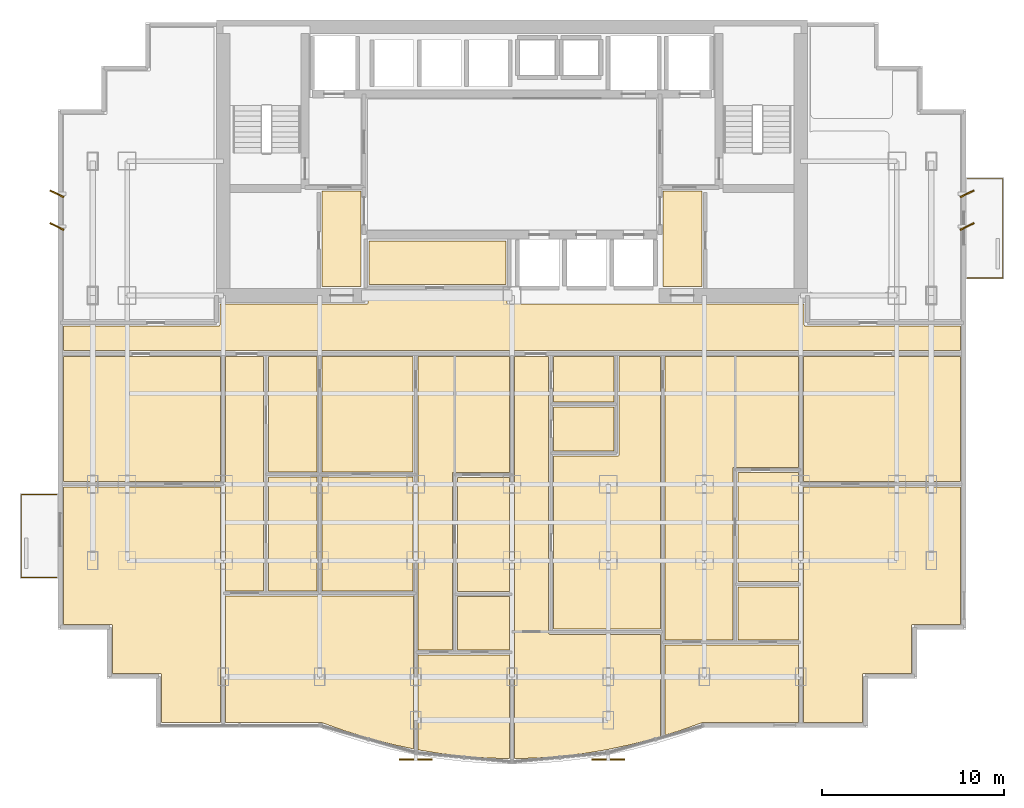
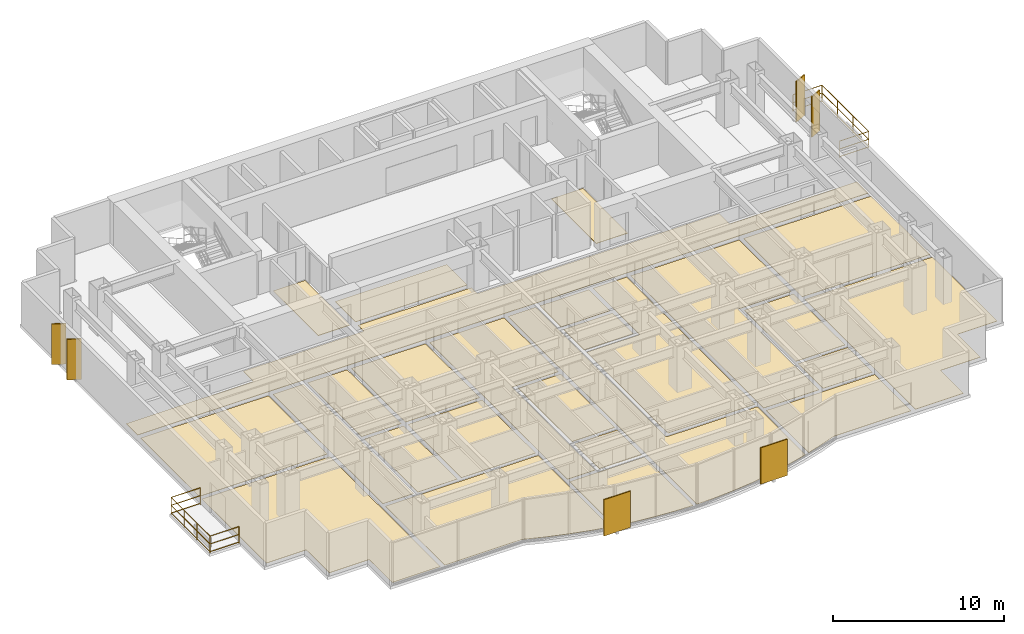
# One storey, part 9 of 10: 26 coverings, 6 shading devices, 2 railings.
"""IFC4 building model written with IfcOpenShell, lengths in metres."""

from ifc_helpers import new_model, si_unit, direction, frame, origin, origin_2d, place, context, subcontext, project, spatial, polyline, rectangle, circle, outline, extrude, source, transform, mapped, material, layer, layer_set, type_object, element, save


model = new_model("IFC4")

# Units and contexts
model_context = context("Model", 3, precision=1e-05, world=origin(), true_north=direction((0.0, 1.0)))
body_context = subcontext(model_context, "Body", "Model", "MODEL_VIEW")
ifc_project = project(units=[si_unit("LENGTHUNIT", "METRE"), si_unit("AREAUNIT", "SQUARE_METRE"), si_unit("VOLUMEUNIT", "CUBIC_METRE"), si_unit("PLANEANGLEUNIT", "RADIAN"), si_unit("MASSUNIT", "GRAM", prefix="KILO")], contexts=[model_context])

# Site, building, storey
site_placement = place(None, origin())
site = spatial("IfcSite", under=ifc_project, at=site_placement, CompositionType="ELEMENT")
building_placement = place(site_placement, origin())
building = spatial("IfcBuilding", under=site, at=building_placement, Name="Qianlan Lanfeng Residences", CompositionType="ELEMENT")
storey_placement = place(building_placement, frame((0.0, 0.0, 94.89990234375)))
storey = spatial("IfcBuildingStorey", under=building, at=storey_placement, Name="L25", CompositionType="ELEMENT", Elevation=94.89990234375)

# Coverings
ifc_material_1 = material(Name="Honed Taitung Granite Stone Flooring", Category="masonry")
ifc_layer_1 = layer(ifc_material_1, 0.030029296875)
ifc_layer_set_1 = layer_set([ifc_layer_1], Name="Honed Taitung Granite Stone Flooring")
covering_type_1 = type_object("IfcCoveringType", Name="FLR-STN-30", PredefinedType="FLOORING", material=ifc_layer_set_1)
covering_1_placement = place(storey_placement, origin())
element("IfcCovering", 1, at=covering_1_placement, inside=storey, type_object=covering_type_1, Name="L25 Residential Corridor Floor Finish", PredefinedType="FLOORING", context=body_context, shape_type="SweptSolid", body=[
    extrude(outline(polyline([(1.7900390625, 22.179931640625), (51.2099609375, 22.179931640625), (51.2099609375, 23.52001953125), (42.6650390625, 23.52001953125), (42.657958984375, 23.52001953125), (42.65087890625, 23.52099609375), (42.64501953125, 23.52294921875), (42.637939453125, 23.52490234375), (42.632080078125, 23.528076171875), (42.6259765625, 23.531982421875), (42.62109375, 23.535888671875), (42.615966796875, 23.541015625), (42.611083984375, 23.5458984375), (42.60693359375, 23.551025390625), (42.60302734375, 23.556884765625), (42.60009765625, 23.56298828125), (42.597900390625, 23.570068359375), (42.595947265625, 23.575927734375), (42.594970703125, 23.5830078125), (42.594970703125, 23.590087890625), (42.594970703125, 24.72509765625), (26.300048828125, 24.72509765625), (26.29296875, 24.72509765625), (26.285888671875, 24.72607421875), (26.280029296875, 24.72802734375), (26.27294921875, 24.72998046875), (26.26708984375, 24.73291015625), (26.260986328125, 24.737060546875), (26.256103515625, 24.740966796875), (26.2509765625, 24.74609375), (26.24609375, 24.7509765625), (26.241943359375, 24.756103515625), (26.238037109375, 24.761962890625), (26.235107421875, 24.76806640625), (26.23291015625, 24.77490234375), (26.23095703125, 24.781005859375), (26.22998046875, 24.7880859375), (26.22998046875, 24.794921875), (26.22998046875, 25.429931640625), (18.570068359375, 25.429931640625), (18.570068359375, 24.794921875), (18.570068359375, 24.7880859375), (18.569091796875, 24.781005859375), (18.56689453125, 24.77490234375), (18.56494140625, 24.76806640625), (18.56201171875, 24.761962890625), (18.55810546875, 24.756103515625), (18.553955078125, 24.7509765625), (18.549072265625, 24.74609375), (18.5439453125, 24.740966796875), (18.5390625, 24.737060546875), (18.532958984375, 24.73291015625), (18.527099609375, 24.72998046875), (18.52001953125, 24.72802734375), (18.513916015625, 24.72607421875), (18.507080078125, 24.72509765625), (18.5, 24.72509765625), (10.405029296875, 24.72509765625), (10.405029296875, 23.590087890625), (10.405029296875, 23.5830078125), (10.404052734375, 23.575927734375), (10.402099609375, 23.570068359375), (10.39990234375, 23.56298828125), (10.39697265625, 23.556884765625), (10.39306640625, 23.551025390625), (10.388916015625, 23.5458984375), (10.384033203125, 23.541015625), (10.37890625, 23.535888671875), (10.3740234375, 23.531982421875), (10.367919921875, 23.528076171875), (10.362060546875, 23.52490234375), (10.35498046875, 23.52294921875), (10.34912109375, 23.52099609375), (10.342041015625, 23.52001953125), (10.3349609375, 23.52001953125), (1.7900390625, 23.52001953125), (1.7900390625, 22.179931640625)])), origin(), (0.0, 0.0, 1.0), 0.030029296875),
])
covering_2_placement = place(storey_placement, origin())
element("IfcCovering", 2, at=covering_2_placement, inside=storey, type_object=covering_type_1, Name="L25 Lift Lobby Floor Finish", PredefinedType="FLOORING", context=body_context, shape_type="SweptSolid", body=[
    extrude(outline(polyline([(16.030029296875, 25.68505859375), (18.169921875, 25.68505859375), (18.169921875, 30.949951171875), (16.030029296875, 30.949951171875), (16.030029296875, 25.68505859375)])), origin(), (0.0, 0.0, 1.0), 0.030029296875),
])
covering_3_placement = place(storey_placement, origin())
element("IfcCovering", 3, at=covering_3_placement, inside=storey, type_object=covering_type_1, Name="L25 Lift Lobby Floor Finish", PredefinedType="FLOORING", context=body_context, shape_type="SweptSolid", body=[
    extrude(outline(polyline([(34.830078125, 25.68505859375), (36.969970703125, 25.68505859375), (36.969970703125, 30.949951171875), (34.830078125, 30.949951171875), (34.830078125, 25.68505859375)])), origin(), (0.0, 0.0, 1.0), 0.030029296875),
])
ifc_material_2 = material(Name="Slip-Resistant Porcelain Tile Flooring")
ifc_layer_2 = layer(ifc_material_2, 0.02001953125)
ifc_layer_set_2 = layer_set([ifc_layer_2], Name="Slip-Resistant Porcelain Tile Flooring")
covering_type_2 = type_object("IfcCoveringType", Name="FLR-TIL-20", PredefinedType="FLOORING", material=ifc_layer_set_2)
covering_4_placement = place(storey_placement, origin())
element("IfcCovering", 4, at=covering_4_placement, inside=storey, type_object=covering_type_2, Name="L25 Kitchen Floor Finish", PredefinedType="FLOORING", context=body_context, shape_type="SweptSolid", body=[
    extrude(outline(polyline([(13.090087890625, 8.929931640625), (15.760009765625, 8.929931640625), (15.760009765625, 15.205078125), (13.090087890625, 15.205078125), (13.090087890625, 8.929931640625)])), origin(), (0.0, 0.0, 1.0), 0.02001953125),
])
covering_5_placement = place(storey_placement, origin())
element("IfcCovering", 5, at=covering_5_placement, inside=storey, type_object=covering_type_2, Name="L25 Bathroom Floor Finish", PredefinedType="FLOORING", context=body_context, shape_type="SweptSolid", body=[
    extrude(outline(polyline([(13.090087890625, 15.485107421875), (15.760009765625, 15.485107421875), (15.760009765625, 21.830078125), (13.090087890625, 21.830078125), (13.090087890625, 15.485107421875)])), origin(), (0.0, 0.0, 1.0), 0.02001953125),
])
covering_6_placement = place(storey_placement, origin())
element("IfcCovering", 6, at=covering_6_placement, inside=storey, type_object=covering_type_2, Name="L25 En-Suite Bathroom Floor Finish", PredefinedType="FLOORING", context=body_context, shape_type="SweptSolid", body=[
    extrude(outline(polyline([(23.489990234375, 5.68701171875), (26.3701171875, 5.68701171875), (26.3701171875, 8.60693359375), (23.489990234375, 8.60693359375), (23.489990234375, 5.68701171875)])), origin(), (0.0, 0.0, 1.0), 0.02001953125),
])
covering_7_placement = place(storey_placement, origin())
element("IfcCovering", 7, at=covering_7_placement, inside=storey, type_object=covering_type_2, Name="L25 Kitchen Floor Finish", PredefinedType="FLOORING", context=body_context, shape_type="SweptSolid", body=[
    extrude(outline(polyline([(28.7900390625, 16.639892578125), (32.110107421875, 16.639892578125), (32.110107421875, 19.06005859375), (28.7900390625, 19.06005859375), (28.7900390625, 16.639892578125)])), origin(), (0.0, 0.0, 1.0), 0.02001953125),
])
covering_8_placement = place(storey_placement, origin())
element("IfcCovering", 8, at=covering_8_placement, inside=storey, type_object=covering_type_2, Name="L25 Bathroom Floor Finish", PredefinedType="FLOORING", context=body_context, shape_type="SweptSolid", body=[
    extrude(outline(polyline([(28.7900390625, 19.340087890625), (32.110107421875, 19.340087890625), (32.110107421875, 21.830078125), (28.7900390625, 21.830078125), (28.7900390625, 19.340087890625)])), origin(), (0.0, 0.0, 1.0), 0.02001953125),
])
covering_9_placement = place(storey_placement, origin())
element("IfcCovering", 9, at=covering_9_placement, inside=storey, type_object=covering_type_2, Name="L25 En-Suite Bathroom Floor Finish", PredefinedType="FLOORING", context=body_context, shape_type="SweptSolid", body=[
    extrude(outline(polyline([(38.93994140625, 6.23388671875), (42.27001953125, 6.23388671875), (42.27001953125, 9.154052734375), (38.93994140625, 9.154052734375), (38.93994140625, 6.23388671875)])), origin(), (0.0, 0.0, 1.0), 0.02001953125),
])
ifc_material_3 = material(Name="Engineered Smoked Oak Timber Flooring", Category="wood")
ifc_layer_3 = layer(ifc_material_3, 0.02197265625)
ifc_layer_set_3 = layer_set([ifc_layer_3], Name="Engineered Smoked Oak Timber Flooring")
covering_type_3 = type_object("IfcCoveringType", Name="FLR-TIM-22", PredefinedType="FLOORING", material=ifc_layer_set_3)
covering_10_placement = place(storey_placement, origin())
element("IfcCovering", 10, at=covering_10_placement, inside=storey, type_object=covering_type_3, Name="L25 Resident Reading Lounge Floor Finish", PredefinedType="FLOORING", context=body_context, shape_type="SweptSolid", body=[
    extrude(outline(polyline([(18.6298828125, 25.800048828125), (26.169921875, 25.800048828125), (26.169921875, 28.205078125), (18.6298828125, 28.205078125), (18.6298828125, 25.800048828125)])), origin(), (0.0, 0.0, 1.0), 0.022216796875),
])
covering_11_placement = place(storey_placement, origin())
element("IfcCovering", 11, at=covering_11_placement, inside=storey, type_object=covering_type_3, Name="L25 Living and Dining Room Floor Finish", PredefinedType="FLOORING", context=body_context, shape_type="SweptSolid", body=[
    extrude(outline(polyline([(10.72998046875, 8.64990234375), (10.72998046875, 1.68994140625), (15.9580078125, 1.68994140625), (15.966064453125, 1.68994140625), (15.97412109375, 1.68798828125), (15.98095703125, 1.68603515625), (17.3330078125, 1.2060546875), (18.64404296875, 0.803955078125), (19.9541015625, 0.462890625), (21.070068359375, 0.22607421875), (21.070068359375, 8.64990234375), (10.72998046875, 8.64990234375)])), origin(), (0.0, 0.0, 1.0), 0.022216796875),
])
covering_12_placement = place(storey_placement, origin())
element("IfcCovering", 12, at=covering_12_placement, inside=storey, type_object=covering_type_3, Name="L25 Family Sitting Room Floor Finish", PredefinedType="FLOORING", context=body_context, shape_type="SweptSolid", body=[
    extrude(outline(polyline([(10.72998046875, 8.929931640625), (12.81005859375, 8.929931640625), (12.81005859375, 21.830078125), (10.72998046875, 21.830078125), (10.72998046875, 8.929931640625)])), origin(), (0.0, 0.0, 1.0), 0.022216796875),
])
covering_13_placement = place(storey_placement, origin())
element("IfcCovering", 13, at=covering_13_placement, inside=storey, type_object=covering_type_3, Name="L25 Aerobics Studio Floor Finish", PredefinedType="FLOORING", context=body_context, shape_type="SweptSolid", body=[
    extrude(outline(polyline([(16.0400390625, 8.929931640625), (21.06005859375, 8.929931640625), (21.06005859375, 15.205078125), (16.0400390625, 15.205078125), (16.0400390625, 8.929931640625)])), origin(), (0.0, 0.0, 1.0), 0.022216796875),
])
covering_14_placement = place(storey_placement, origin())
element("IfcCovering", 14, at=covering_14_placement, inside=storey, type_object=covering_type_3, Name="L25 Club Reading Salon Floor Finish", PredefinedType="FLOORING", context=body_context, shape_type="SweptSolid", body=[
    extrude(outline(polyline([(16.0400390625, 15.485107421875), (21.06005859375, 15.485107421875), (21.06005859375, 21.830078125), (16.0400390625, 21.830078125), (16.0400390625, 15.485107421875)])), origin(), (0.0, 0.0, 1.0), 0.022216796875),
])
covering_15_placement = place(storey_placement, origin())
element("IfcCovering", 15, at=covering_15_placement, inside=storey, type_object=covering_type_3, Name="L25 Private Study Floor Finish", PredefinedType="FLOORING", context=body_context, shape_type="SweptSolid", body=[
    extrude(outline(polyline([(23.489990234375, 8.886962890625), (26.3701171875, 8.886962890625), (26.3701171875, 15.18310546875), (23.489990234375, 15.18310546875), (23.489990234375, 8.886962890625)])), origin(), (0.0, 0.0, 1.0), 0.022216796875),
])
covering_16_placement = place(storey_placement, origin())
element("IfcCovering", 16, at=covering_16_placement, inside=storey, type_object=covering_type_3, Name="L25 Villa Family Sitting Room Floor Finish", PredefinedType="FLOORING", context=body_context, shape_type="SweptSolid", body=[
    extrude(outline(polyline([(21.330078125, 5.68701171875), (23.2099609375, 5.68701171875), (23.2099609375, 15.39306640625), (23.2099609375, 15.39990234375), (23.2109375, 15.406982421875), (23.212890625, 15.4130859375), (23.215087890625, 15.419921875), (23.218017578125, 15.426025390625), (23.221923828125, 15.431884765625), (23.22607421875, 15.43701171875), (23.23095703125, 15.44189453125), (23.236083984375, 15.447021484375), (23.240966796875, 15.450927734375), (23.2470703125, 15.455078125), (23.2529296875, 15.4580078125), (23.260009765625, 15.4599609375), (23.26611328125, 15.4619140625), (23.27294921875, 15.462890625), (23.280029296875, 15.462890625), (26.3701171875, 15.462890625), (26.3701171875, 21.830078125), (21.330078125, 21.830078125), (21.330078125, 5.68701171875)])), origin(), (0.0, 0.0, 1.0), 0.022216796875),
])
covering_17_placement = place(storey_placement, origin())
element("IfcCovering", 17, at=covering_17_placement, inside=storey, type_object=covering_type_3, Name="L25 Master Bedroom Floor Finish", PredefinedType="FLOORING", context=body_context, shape_type="SweptSolid", body=[
    extrude(outline(polyline([(21.330078125, 5.406982421875), (21.330078125, 0.174072265625), (22.572998046875, -0.031982421875), (23.882080078125, -0.18603515625), (25.19091796875, -0.279052734375), (26.3701171875, -0.306884765625), (26.3701171875, 5.406982421875), (21.330078125, 5.406982421875)])), origin(), (0.0, 0.0, 1.0), 0.022216796875),
])
covering_18_placement = place(storey_placement, origin())
element("IfcCovering", 18, at=covering_18_placement, inside=storey, type_object=covering_type_3, Name="L25 Living and Dining Room Floor Finish", PredefinedType="FLOORING", context=body_context, shape_type="SweptSolid", body=[
    extrude(outline(polyline([(34.669921875, 0.89990234375), (34.669921875, 6.541015625), (28.580078125, 6.541015625), (28.572998046875, 6.541015625), (28.56591796875, 6.5419921875), (28.56005859375, 6.5439453125), (28.552978515625, 6.5458984375), (28.547119140625, 6.549072265625), (28.541015625, 6.552978515625), (28.535888671875, 6.556884765625), (28.531005859375, 6.56201171875), (28.52587890625, 6.56689453125), (28.52197265625, 6.572021484375), (28.51806640625, 6.577880859375), (28.514892578125, 6.583984375), (28.512939453125, 6.591064453125), (28.510986328125, 6.596923828125), (28.510009765625, 6.60400390625), (28.510009765625, 6.611083984375), (28.510009765625, 21.830078125), (26.6298828125, 21.830078125), (26.6298828125, -0.306884765625), (27.80810546875, -0.279052734375), (29.117919921875, -0.18603515625), (30.426025390625, -0.031982421875), (31.736083984375, 0.18505859375), (33.044921875, 0.462890625), (34.35595703125, 0.803955078125), (34.669921875, 0.89990234375)])), origin(), (0.0, 0.0, 1.0), 0.022216796875),
])
covering_19_placement = place(storey_placement, origin())
element("IfcCovering", 19, at=covering_19_placement, inside=storey, type_object=covering_type_3, Name="L25 Villa Family Sitting Room Floor Finish", PredefinedType="FLOORING", context=body_context, shape_type="SweptSolid", body=[
    extrude(outline(polyline([(28.7900390625, 6.821044921875), (34.669921875, 6.821044921875), (34.669921875, 21.830078125), (32.389892578125, 21.830078125), (32.389892578125, 16.429931640625), (32.389892578125, 16.423095703125), (32.388916015625, 16.416015625), (32.386962890625, 16.409912109375), (32.385009765625, 16.403076171875), (32.382080078125, 16.39697265625), (32.3779296875, 16.39111328125), (32.3740234375, 16.385986328125), (32.368896484375, 16.381103515625), (32.364013671875, 16.3759765625), (32.35888671875, 16.3720703125), (32.35302734375, 16.367919921875), (32.346923828125, 16.364990234375), (32.340087890625, 16.363037109375), (32.333984375, 16.361083984375), (32.326904296875, 16.360107421875), (32.320068359375, 16.360107421875), (28.7900390625, 16.360107421875), (28.7900390625, 6.821044921875)])), origin(), (0.0, 0.0, 1.0), 0.022216796875),
])
covering_20_placement = place(storey_placement, origin())
element("IfcCovering", 20, at=covering_20_placement, inside=storey, type_object=covering_type_3, Name="L25 Private Study Floor Finish", PredefinedType="FLOORING", context=body_context, shape_type="SweptSolid", body=[
    extrude(outline(polyline([(38.93994140625, 9.43408203125), (42.27001953125, 9.43408203125), (42.27001953125, 15.45703125), (38.93994140625, 15.45703125), (38.93994140625, 9.43408203125)])), origin(), (0.0, 0.0, 1.0), 0.022216796875),
])
covering_21_placement = place(storey_placement, origin())
element("IfcCovering", 21, at=covering_21_placement, inside=storey, type_object=covering_type_3, Name="L25 Villa Family Sitting Room Floor Finish", PredefinedType="FLOORING", context=body_context, shape_type="SweptSolid", body=[
    extrude(outline(polyline([(34.929931640625, 6.23388671875), (38.659912109375, 6.23388671875), (38.659912109375, 15.6669921875), (38.659912109375, 15.674072265625), (38.660888671875, 15.680908203125), (38.6630859375, 15.68701171875), (38.6650390625, 15.694091796875), (38.66796875, 15.699951171875), (38.672119140625, 15.7060546875), (38.676025390625, 15.7109375), (38.680908203125, 15.716064453125), (38.68603515625, 15.720947265625), (38.69091796875, 15.72509765625), (38.697021484375, 15.72900390625), (38.702880859375, 15.73193359375), (38.7099609375, 15.73388671875), (38.716064453125, 15.736083984375), (38.722900390625, 15.737060546875), (38.72998046875, 15.737060546875), (42.27001953125, 15.737060546875), (42.27001953125, 21.830078125), (34.929931640625, 21.830078125), (34.929931640625, 6.23388671875)])), origin(), (0.0, 0.0, 1.0), 0.022216796875),
])
covering_22_placement = place(storey_placement, origin())
element("IfcCovering", 22, at=covering_22_placement, inside=storey, type_object=covering_type_3, Name="L25 Master Bedroom Floor Finish", PredefinedType="FLOORING", context=body_context, shape_type="SweptSolid", body=[
    extrude(outline(polyline([(34.929931640625, 5.9541015625), (34.929931640625, 0.97998046875), (35.6669921875, 1.2060546875), (37.01904296875, 1.68603515625), (37.02587890625, 1.68798828125), (37.033935546875, 1.68994140625), (37.0419921875, 1.68994140625), (42.27001953125, 1.68994140625), (42.27001953125, 5.9541015625), (34.929931640625, 5.9541015625)])), origin(), (0.0, 0.0, 1.0), 0.022216796875),
])
covering_23_placement = place(storey_placement, origin())
element("IfcCovering", 23, at=covering_23_placement, inside=storey, type_object=covering_type_3, Name="L25 Sunroom Floor Finish", PredefinedType="FLOORING", context=body_context, shape_type="SweptSolid", body=[
    extrude(outline(polyline([(10.43994140625, 14.64990234375), (1.7900390625, 14.64990234375), (1.7900390625, 7.090087890625), (4.419921875, 7.090087890625), (4.427001953125, 7.090087890625), (4.43408203125, 7.089111328125), (4.43994140625, 7.0869140625), (4.447021484375, 7.0849609375), (4.452880859375, 7.08203125), (4.458984375, 7.077880859375), (4.464111328125, 7.073974609375), (4.468994140625, 7.069091796875), (4.47412109375, 7.06396484375), (4.47802734375, 7.05908203125), (4.48193359375, 7.052978515625), (4.485107421875, 7.047119140625), (4.487060546875, 7.0400390625), (4.489013671875, 7.033935546875), (4.489990234375, 7.027099609375), (4.489990234375, 7.02001953125), (4.489990234375, 4.389892578125), (7.1201171875, 4.389892578125), (7.126953125, 4.389892578125), (7.134033203125, 4.388916015625), (7.139892578125, 4.386962890625), (7.14697265625, 4.385009765625), (7.153076171875, 4.382080078125), (7.158935546875, 4.3779296875), (7.1640625, 4.3740234375), (7.1689453125, 4.368896484375), (7.174072265625, 4.364013671875), (7.177978515625, 4.35888671875), (7.181884765625, 4.35302734375), (7.18505859375, 4.346923828125), (7.18701171875, 4.340087890625), (7.18896484375, 4.333984375), (7.18994140625, 4.326904296875), (7.18994140625, 4.320068359375), (7.18994140625, 1.68994140625), (10.43994140625, 1.68994140625), (10.43994140625, 14.64990234375)])), origin(), (0.0, 0.0, 1.0), 0.022216796875),
])
covering_24_placement = place(storey_placement, origin())
element("IfcCovering", 24, at=covering_24_placement, inside=storey, type_object=covering_type_3, Name="L25 Family Sitting Room Floor Finish", PredefinedType="FLOORING", context=body_context, shape_type="SweptSolid", body=[
    extrude(outline(polyline([(10.43994140625, 21.830078125), (1.7900390625, 21.830078125), (1.7900390625, 14.949951171875), (10.43994140625, 14.949951171875), (10.43994140625, 21.830078125)])), origin(), (0.0, 0.0, 1.0), 0.022216796875),
])
covering_25_placement = place(storey_placement, origin())
element("IfcCovering", 25, at=covering_25_placement, inside=storey, type_object=covering_type_3, Name="L25 Sunroom Floor Finish", PredefinedType="FLOORING", context=body_context, shape_type="SweptSolid", body=[
    extrude(outline(polyline([(51.2099609375, 14.64990234375), (42.56005859375, 14.64990234375), (42.56005859375, 1.68994140625), (45.81005859375, 1.68994140625), (45.81005859375, 4.320068359375), (45.81005859375, 4.326904296875), (45.81103515625, 4.333984375), (45.81298828125, 4.340087890625), (45.81494140625, 4.346923828125), (45.818115234375, 4.35302734375), (45.822021484375, 4.35888671875), (45.825927734375, 4.364013671875), (45.8310546875, 4.368896484375), (45.8359375, 4.3740234375), (45.841064453125, 4.3779296875), (45.846923828125, 4.382080078125), (45.85302734375, 4.385009765625), (45.860107421875, 4.386962890625), (45.865966796875, 4.388916015625), (45.873046875, 4.389892578125), (45.8798828125, 4.389892578125), (48.510009765625, 4.389892578125), (48.510009765625, 7.02001953125), (48.510009765625, 7.027099609375), (48.510986328125, 7.033935546875), (48.512939453125, 7.0400390625), (48.514892578125, 7.047119140625), (48.51806640625, 7.052978515625), (48.52197265625, 7.05908203125), (48.52587890625, 7.06396484375), (48.531005859375, 7.069091796875), (48.535888671875, 7.073974609375), (48.541015625, 7.077880859375), (48.547119140625, 7.08203125), (48.552978515625, 7.0849609375), (48.56005859375, 7.0869140625), (48.56591796875, 7.089111328125), (48.572998046875, 7.090087890625), (48.580078125, 7.090087890625), (51.2099609375, 7.090087890625), (51.2099609375, 14.64990234375)])), origin(), (0.0, 0.0, 1.0), 0.022216796875),
])
covering_26_placement = place(storey_placement, origin())
element("IfcCovering", 26, at=covering_26_placement, inside=storey, type_object=covering_type_3, Name="L25 Private Study Floor Finish", PredefinedType="FLOORING", context=body_context, shape_type="SweptSolid", body=[
    extrude(outline(polyline([(51.2099609375, 21.830078125), (42.56005859375, 21.830078125), (42.56005859375, 14.949951171875), (51.2099609375, 14.949951171875), (51.2099609375, 21.830078125)])), origin(), (0.0, 0.0, 1.0), 0.022216796875),
])

# Railings
ifc_material_4 = material(Name="Anodised Bronze Aluminium and Laminated Glass Guard Balustrade", Category="aluminium")
railing_type = type_object("IfcRailingType", Name="GR-EXT-1220", PredefinedType="BALUSTRADE", material=ifc_material_4)
railing_1_placement = place(storey_placement, frame((1.429931640625, 9.669921875, 0.0)))
element("IfcRailing", 27, at=railing_1_placement, inside=storey, type_object=railing_type, Name="L25 Terrace Safety Guard GR-L25-WB-S", PredefinedType="BALUSTRADE", context=body_context, shape_type="SweptSolid", body=[
    extrude(circle(Radius=0.02490234375, at=origin_2d()), frame((0.0, 0.0, 0.0849609375), z_axis=(-1.0, 0.0, 0.0), x_axis=(0.0, -1.0, 0.0)), (0.0, 0.0, 1.0), 1.9599609375),
    extrude(circle(Radius=0.02490234375, at=origin_2d()), frame((0.0, 0.0, 0.63427734375), z_axis=(-1.0, 0.0, 0.0), x_axis=(0.0, -1.0, 0.0)), (0.0, 0.0, 1.0), 1.9599609375),
    extrude(circle(Radius=0.02490234375, at=origin_2d()), frame((0.0, 0.0, 1.19482421875), z_axis=(-1.0, 0.0, 0.0), x_axis=(0.0, -1.0, 0.0)), (0.0, 0.0, 1.0), 1.9599609375),
    extrude(circle(Radius=0.02490234375, at=origin_2d()), frame((-1.9599609375, 0.0, 0.0849609375), z_axis=(0.0, 1.0, 0.0), x_axis=(-1.0, 0.0, 0.0)), (0.0, 0.0, 1.0), 4.56005859375),
    extrude(circle(Radius=0.02490234375, at=origin_2d()), frame((-1.9599609375, 0.0, 0.63427734375), z_axis=(0.0, 1.0, 0.0), x_axis=(-1.0, 0.0, 0.0)), (0.0, 0.0, 1.0), 4.56005859375),
    extrude(circle(Radius=0.02490234375, at=origin_2d()), frame((-1.9599609375, 0.0, 1.19482421875), z_axis=(0.0, 1.0, 0.0), x_axis=(-1.0, 0.0, 0.0)), (0.0, 0.0, 1.0), 4.56005859375),
    extrude(circle(Radius=0.02490234375, at=origin_2d()), frame((-1.9599609375, 4.56005859375, 0.0849609375), z_axis=(1.0, 0.0, 0.0), x_axis=(0.0, 1.0, 0.0)), (0.0, 0.0, 1.0), 1.9599609375),
    extrude(circle(Radius=0.02490234375, at=origin_2d()), frame((-1.9599609375, 4.56005859375, 0.63427734375), z_axis=(1.0, 0.0, 0.0), x_axis=(0.0, 1.0, 0.0)), (0.0, 0.0, 1.0), 1.9599609375),
    extrude(circle(Radius=0.02490234375, at=origin_2d()), frame((-1.9599609375, 4.56005859375, 1.19482421875), z_axis=(1.0, 0.0, 0.0), x_axis=(0.0, 1.0, 0.0)), (0.0, 0.0, 1.0), 1.9599609375),
    extrude(circle(Radius=0.02099609375, at=origin_2d()), origin(), (0.0, 0.0, 1.0), 1.169921875),
    extrude(circle(Radius=0.02099609375, at=origin_2d()), frame((-1.9599609375, 0.0, 0.0)), (0.0, 0.0, 1.0), 1.169921875),
    extrude(circle(Radius=0.02099609375, at=origin_2d()), frame((-1.9599609375, 1.52001953125, 0.0)), (0.0, 0.0, 1.0), 1.169921875),
    extrude(circle(Radius=0.02099609375, at=origin_2d()), frame((-1.9599609375, 3.0400390625, 0.0)), (0.0, 0.0, 1.0), 1.169921875),
    extrude(circle(Radius=0.02099609375, at=origin_2d()), frame((-1.9599609375, 4.56005859375, 0.0)), (0.0, 0.0, 1.0), 1.169921875),
    extrude(circle(Radius=0.02099609375, at=origin_2d()), frame((0.0, 4.56005859375, 0.0)), (0.0, 0.0, 1.0), 1.169921875),
])
railing_2_placement = place(storey_placement, frame((51.570068359375, 31.6298828125, 0.0)))
element("IfcRailing", 28, at=railing_2_placement, inside=storey, type_object=railing_type, Name="L25 Terrace Safety Guard GR-L25-EB-N", PredefinedType="BALUSTRADE", context=body_context, shape_type="SweptSolid", body=[
    extrude(circle(Radius=0.02490234375, at=origin_2d()), frame((0.0, 0.0, 0.0849609375), z_axis=(1.0, 0.0, 0.0), x_axis=(0.0, 1.0, 0.0)), (0.0, 0.0, 1.0), 1.9599609375),
    extrude(circle(Radius=0.02490234375, at=origin_2d()), frame((0.0, 0.0, 0.63427734375), z_axis=(1.0, 0.0, 0.0), x_axis=(0.0, 1.0, 0.0)), (0.0, 0.0, 1.0), 1.9599609375),
    extrude(circle(Radius=0.02490234375, at=origin_2d()), frame((0.0, 0.0, 1.19482421875), z_axis=(1.0, 0.0, 0.0), x_axis=(0.0, 1.0, 0.0)), (0.0, 0.0, 1.0), 1.9599609375),
    extrude(circle(Radius=0.02490234375, at=origin_2d()), frame((1.9599609375, 0.0, 0.0849609375), z_axis=(0.0, -1.0, 0.0), x_axis=(1.0, 0.0, 0.0)), (0.0, 0.0, 1.0), 5.4599609375),
    extrude(circle(Radius=0.02490234375, at=origin_2d()), frame((1.9599609375, 0.0, 0.63427734375), z_axis=(0.0, -1.0, 0.0), x_axis=(1.0, 0.0, 0.0)), (0.0, 0.0, 1.0), 5.4599609375),
    extrude(circle(Radius=0.02490234375, at=origin_2d()), frame((1.9599609375, 0.0, 1.19482421875), z_axis=(0.0, -1.0, 0.0), x_axis=(1.0, 0.0, 0.0)), (0.0, 0.0, 1.0), 5.4599609375),
    extrude(circle(Radius=0.02490234375, at=origin_2d()), frame((1.9599609375, -5.4599609375, 0.0849609375), z_axis=(-1.0, 0.0, 0.0), x_axis=(0.0, -1.0, 0.0)), (0.0, 0.0, 1.0), 1.9599609375),
    extrude(circle(Radius=0.02490234375, at=origin_2d()), frame((1.9599609375, -5.4599609375, 0.63427734375), z_axis=(-1.0, 0.0, 0.0), x_axis=(0.0, -1.0, 0.0)), (0.0, 0.0, 1.0), 1.9599609375),
    extrude(circle(Radius=0.02490234375, at=origin_2d()), frame((1.9599609375, -5.4599609375, 1.19482421875), z_axis=(-1.0, 0.0, 0.0), x_axis=(0.0, -1.0, 0.0)), (0.0, 0.0, 1.0), 1.9599609375),
    extrude(circle(Radius=0.02099609375, at=origin_2d()), origin(), (0.0, 0.0, 1.0), 1.169921875),
    extrude(circle(Radius=0.02099609375, at=origin_2d()), frame((1.9599609375, 0.0, 0.0)), (0.0, 0.0, 1.0), 1.169921875),
    extrude(circle(Radius=0.02099609375, at=origin_2d()), frame((1.9599609375, -1.820068359375, 0.0)), (0.0, 0.0, 1.0), 1.169921875),
    extrude(circle(Radius=0.02099609375, at=origin_2d()), frame((1.9599609375, -3.639892578125, 0.0)), (0.0, 0.0, 1.0), 1.169921875),
    extrude(circle(Radius=0.02099609375, at=origin_2d()), frame((1.9599609375, -5.4599609375, 0.0)), (0.0, 0.0, 1.0), 1.169921875),
    extrude(circle(Radius=0.02099609375, at=origin_2d()), frame((0.0, -5.4599609375, 0.0)), (0.0, 0.0, 1.0), 1.169921875),
])

# Shading devices
ifc_material_5 = material(Name="Perforated Bronze Aluminium Solar Screen", Category="aluminium")
shading_device_type_1 = type_object("IfcShadingDeviceType", Name="SCR-BRZ-1800", PredefinedType="JALOUSIE", material=ifc_material_5)
shared_shape_1 = source(origin(), body_context, "Body", "SweptSolid", [
    extrude(rectangle(XDim=1.800048828125, YDim=0.06005859375, at=origin_2d()), origin(), (0.0, 0.0, 1.0), 2.60009765625),
])
for number, where, z_axis, x_axis, name in (
    (29, (21.199951171875, -0.360107421875, 0.0), (0.0, 0.0, 1.0), (1.0, 0.0, 0.0), "L25 Perforated Bronze Solar Screen 1"),
    (30, (31.800048828125, -0.360107421875, 0.0), (0.0, 0.0, 1.0), (1.0, 0.0, 0.0), "L25 Perforated Bronze Solar Screen 2"),
):
    element("IfcShadingDevice", number, at=place(storey_placement, frame(where, z_axis=z_axis, x_axis=x_axis)), inside=storey, type_object=shading_device_type_1, Name=name, PredefinedType="JALOUSIE", context=body_context, shape_type="MappedRepresentation", body=[
        mapped(shared_shape_1, transform((0.0, 0.0, 0.0), scale=1.0)),
    ])
ifc_material_6 = material(Name="Anodised Bronze Aluminium Solar Fin", Category="aluminium")
shading_device_type_2 = type_object("IfcShadingDeviceType", Name="FIN-BRZ-850", PredefinedType="SHUTTER", material=ifc_material_6)
shared_shape_2 = source(origin(), body_context, "Body", "SweptSolid", [
    extrude(rectangle(XDim=0.85009765625, YDim=0.080078125, at=origin_2d()), origin(), (0.0, 0.0, 1.0), 2.89990234375),
])
for number, where, z_axis, x_axis, name in (
    (31, (1.429931640625, 29.0, 0.000244140625), (0.0, 0.0, 1.0), (0.898794046299, -0.438371146789, 0.0), "L25 Raked Bronze Solar Fin W1"),
    (32, (1.429931640625, 30.800048828125, 0.000244140625), (0.0, 0.0, 1.0), (0.898794046299, -0.438371146789, 0.0), "L25 Raked Bronze Solar Fin W2"),
    (33, (51.570068359375, 29.0, 0.000244140625), (0.0, 0.0, 1.0), (0.898794046299, 0.438371146789, 0.0), "L25 Raked Bronze Solar Fin E1"),
    (34, (51.570068359375, 30.800048828125, 0.000244140625), (0.0, 0.0, 1.0), (0.898794046299, 0.438371146789, 0.0), "L25 Raked Bronze Solar Fin E2"),
):
    element("IfcShadingDevice", number, at=place(storey_placement, frame(where, z_axis=z_axis, x_axis=x_axis)), inside=storey, type_object=shading_device_type_2, Name=name, PredefinedType="SHUTTER", context=body_context, shape_type="MappedRepresentation", body=[
        mapped(shared_shape_2, transform((0.0, 0.0, 0.0), scale=1.0)),
    ])

save(model, "model.ifc")
